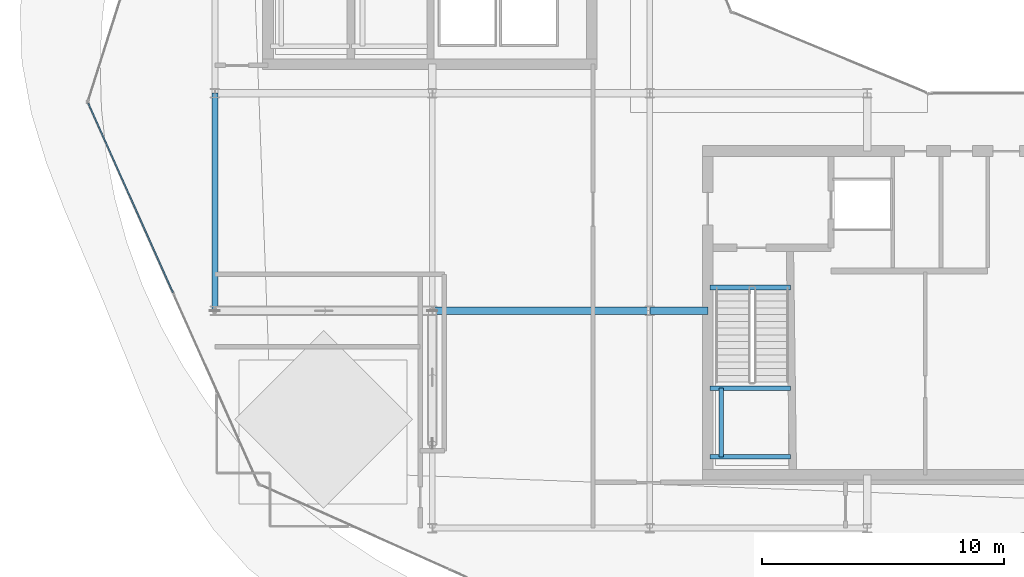
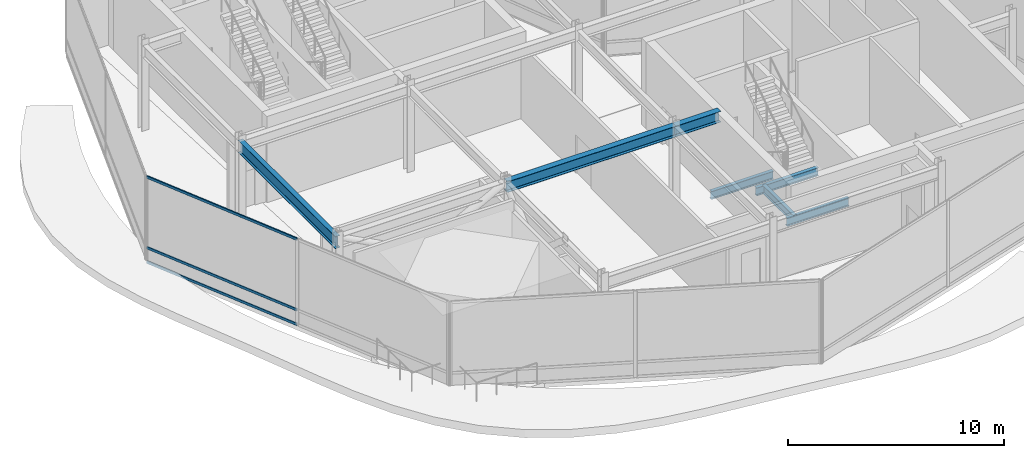
# One storey, part 5 of 21: 7 beams, 3 members, 1 element without a shape of its own.
"""IFC4 building model written with IfcOpenShell, lengths in metres."""

from ifc_helpers import new_model, si_unit, direction, frame, origin, origin_2d, place, context, subcontext, project, spatial, hollow_rectangle, i_section, extrude, material, layer, layer_set, material_profile, profile_set, type_object, element, aggregate, save


model = new_model("IFC4")

# Units and contexts
model_context = context("Model", 3, precision=1e-05, world=origin(), true_north=direction((0.0, 1.0)))
body_context = subcontext(model_context, "Body", "Model", "MODEL_VIEW")
ifc_project = project(units=[si_unit("LENGTHUNIT", "METRE"), si_unit("AREAUNIT", "SQUARE_METRE"), si_unit("VOLUMEUNIT", "CUBIC_METRE"), si_unit("PLANEANGLEUNIT", "RADIAN"), si_unit("MASSUNIT", "GRAM", prefix="KILO")], contexts=[model_context])

# Site, building, storey
site_placement = place(None, origin())
site = spatial("IfcSite", under=ifc_project, at=site_placement, CompositionType="ELEMENT")
building_placement = place(site_placement, origin())
building = spatial("IfcBuilding", under=site, at=building_placement, Name="Solvaryn Broadcast Tower", CompositionType="ELEMENT")
storey_placement = place(building_placement, frame((0.0, 0.0, 297.39990234375)))
storey = spatial("IfcBuildingStorey", under=building, at=storey_placement, Name="L75", CompositionType="ELEMENT", Elevation=297.39990234375)

# Beams
ifc_material_1 = material(Name="Steel ASTM A992 Grade 50", Category="steel")
ifc_material_profile_1 = material_profile(ifc_material_1, i_section(OverallWidth=0.323974609375, OverallDepth=0.611083984375, WebThickness=0.0126953125, FlangeThickness=0.01904296875, FilletRadius=0.014892578125, at=origin_2d()))
ifc_profile_set_1 = profile_set([ifc_material_profile_1], Name="Steel ASTM A992 Grade 50")
beam_type_1 = type_object("IfcBeamType", Name="BM-B1-W24X104", PredefinedType="BEAM", material=ifc_profile_set_1)
beam_1_placement = place(storey_placement, frame((18.0, 18.0, 4.564697265625), z_axis=(1.0, 0.0, 0.0), x_axis=(0.0, 1.0, 0.0)))
element("IfcBeam", 1, at=beam_1_placement, inside=storey, type_object=beam_type_1, Name="L75 Primary Beam X (18-27 @ Y=18)", PredefinedType="BEAM", context=body_context, shape_type="SweptSolid", body=[
    extrude(i_section(OverallWidth=0.323974609375, OverallDepth=0.611083984375, WebThickness=0.0126953125, FlangeThickness=0.01904296875, FilletRadius=0.014892578125, at=origin_2d()), origin(), (0.0, 0.0, 1.0), 9.0),
])
beam_2_placement = place(storey_placement, frame((27.0, 18.0, 4.564697265625), z_axis=(1.0, 0.0, 0.0), x_axis=(0.0, 1.0, 0.0)))
element("IfcBeam", 2, at=beam_2_placement, inside=storey, type_object=beam_type_1, Name="L75 Core Tie Beam CTE4", PredefinedType="BEAM", context=body_context, shape_type="SweptSolid", body=[
    extrude(i_section(OverallWidth=0.323974609375, OverallDepth=0.611083984375, WebThickness=0.0126953125, FlangeThickness=0.01904296875, FilletRadius=0.014892578125, at=origin_2d()), origin(), (0.0, 0.0, 1.0), 2.39990234375),
])
ifc_material_2 = material(Name="Steel ASTM A992 Grade 50", Category="steel")
ifc_material_profile_2 = material_profile(ifc_material_2, i_section(OverallWidth=0.18994140625, OverallDepth=0.45703125, WebThickness=0.009033203125, FlangeThickness=0.014404296875, FilletRadius=0.011962890625, at=origin_2d()))
ifc_profile_set_2 = profile_set([ifc_material_profile_2], Name="Steel ASTM A992 Grade 50")
beam_type_2 = type_object("IfcBeamType", Name="BM-B4-W18X50", PredefinedType="BEAM", material=ifc_profile_set_2)
for number, where, z_axis, x_axis, name in (
    (3, (29.5, 18.9599609375, -0.558349609375), (1.0, 0.0, 0.0), (0.0, 1.0, 0.0), "L75 ST3 Stair Well Trimmer Beam"),
    (4, (29.5, 11.949951171875, 2.171630859375), (1.0, 0.0, 0.0), (0.0, 1.0, 0.0), "L75 ST3 Landing Support Beam 1A"),
    (5, (29.5, 14.7900390625, 2.171630859375), (1.0, 0.0, 0.0), (0.0, 1.0, 0.0), "L75 ST3 Landing Support Beam 1B"),
):
    element("IfcBeam", number, at=place(storey_placement, frame(where, z_axis=z_axis, x_axis=x_axis)), inside=storey, type_object=beam_type_2, Name=name, PredefinedType="BEAM", context=body_context, shape_type="SweptSolid", body=[
        extrude(i_section(OverallWidth=0.18994140625, OverallDepth=0.45703125, WebThickness=0.009033203125, FlangeThickness=0.014404296875, FilletRadius=0.011962890625, at=origin_2d()), origin(), (0.0, 0.0, 1.0), 3.320068359375),
    ])
beam_3_placement = place(storey_placement, frame((29.949951171875, 11.949951171875, 2.171630859375), z_axis=(0.0, 1.0, 0.0), x_axis=(-1.0, 0.0, 0.0)))
element("IfcBeam", 6, at=beam_3_placement, inside=storey, type_object=beam_type_2, Name="L75 ST3 Landing Cross Stringer 1C", PredefinedType="BEAM", context=body_context, shape_type="SweptSolid", body=[
    extrude(i_section(OverallWidth=0.18994140625, OverallDepth=0.45703125, WebThickness=0.009033203125, FlangeThickness=0.014404296875, FilletRadius=0.011962890625, at=origin_2d()), origin(), (0.0, 0.0, 1.0), 2.840087890625),
])
ifc_material_3 = material(Name="Steel ASTM A992 Grade 50", Category="steel")
ifc_material_profile_3 = material_profile(ifc_material_3, i_section(OverallWidth=0.256103515625, OverallDepth=0.693115234375, WebThickness=0.014404296875, FlangeThickness=0.023681640625, FilletRadius=0.01611328125, at=origin_2d()))
ifc_profile_set_3 = profile_set([ifc_material_profile_3], Name="Steel ASTM A992 Grade 50")
beam_type_3 = type_object("IfcBeamType", Name="BM-SP3-W27X114", PredefinedType="USERDEFINED", material=ifc_profile_set_3)
beam_4_placement = place(storey_placement, frame((9.0, 18.0, 4.523681640625), z_axis=(0.0, 1.0, 0.0), x_axis=(-1.0, 0.0, 0.0)))
element("IfcBeam", 7, at=beam_4_placement, inside=storey, type_object=beam_type_3, Name="L75 Spandrel Beam Y (18-27 @ X=9)", ObjectType="SPANDREL", PredefinedType="USERDEFINED", context=body_context, shape_type="SweptSolid", body=[
    extrude(i_section(OverallWidth=0.256103515625, OverallDepth=0.693115234375, WebThickness=0.014404296875, FlangeThickness=0.023681640625, FilletRadius=0.01611328125, at=origin_2d()), origin(), (0.0, 0.0, 1.0), 9.0),
])

# Curtain wall, members
ifc_material_4 = material(Name="Aluminium and Terracotta Unitised Curtain Wall", Category="masonry")
ifc_layer = layer(ifc_material_4, 0.260009765625)
ifc_layer_set = layer_set([ifc_layer], Name="CW-SYS5-DAMPER")
curtain_wall_type = type_object("IfcCurtainWallType", Name="CW-SYS5-DAMPER", PredefinedType="NOTDEFINED", material=ifc_layer_set)
curtain_wall_placement = place(storey_placement, origin())
curtain_wall = element("IfcCurtainWall", 8, at=curtain_wall_placement, inside=storey, type_object=curtain_wall_type, Name="L75 Curtain Wall DR2", PredefinedType="NOTDEFINED")
ifc_material_5 = material(Name="Anodised Aluminium 6063-T6", Category="aluminium")
ifc_material_profile_4 = material_profile(ifc_material_5, hollow_rectangle(XDim=0.06494140625, YDim=0.14990234375, WallThickness=0.00390625, InnerFilletRadius=0.00390625, OuterFilletRadius=0.008056640625, at=origin_2d()))
ifc_profile_set_4 = profile_set([ifc_material_profile_4], Name="Anodised Aluminium 6063-T6")
member_type = type_object("IfcMemberType", Name="CW-TRN-150", PredefinedType="USERDEFINED", material=ifc_profile_set_4)
member_1_placement = place(storey_placement, frame((3.762451171875, 26.581298828125, 0.030029296875), z_axis=(0.408459074172, -0.91277663463, 0.0), x_axis=(0.91277663463, 0.408459074172, 0.0)))
member_1 = element("IfcMember", 9, at=member_1_placement, type_object=member_type, Name="CWS5 transom 1.1", ObjectType="TRANSOM", PredefinedType="USERDEFINED", context=body_context, shape_type="SweptSolid", body=[
    extrude(hollow_rectangle(XDim=0.06494140625, YDim=0.14990234375, WallThickness=0.00390625, InnerFilletRadius=0.00390625, OuterFilletRadius=0.008056640625, at=origin_2d()), origin(), (0.0, 0.0, 1.0), 8.575439453125),
])
member_2_placement = place(storey_placement, frame((3.762451171875, 26.581298828125, 0.85009765625), z_axis=(0.408459074172, -0.91277663463, 0.0), x_axis=(0.91277663463, 0.408459074172, 0.0)))
member_2 = element("IfcMember", 10, at=member_2_placement, type_object=member_type, Name="CWS5 transom 1.2", ObjectType="TRANSOM", PredefinedType="USERDEFINED", context=body_context, shape_type="SweptSolid", body=[
    extrude(hollow_rectangle(XDim=0.06494140625, YDim=0.14990234375, WallThickness=0.00390625, InnerFilletRadius=0.00390625, OuterFilletRadius=0.008056640625, at=origin_2d()), origin(), (0.0, 0.0, 1.0), 8.575439453125),
])
member_3_placement = place(storey_placement, frame((3.762451171875, 26.581298828125, 4.840087890625), z_axis=(0.408459074172, -0.91277663463, 0.0), x_axis=(0.91277663463, 0.408459074172, 0.0)))
member_3 = element("IfcMember", 11, at=member_3_placement, type_object=member_type, Name="CWS5 transom 1.3", ObjectType="TRANSOM", PredefinedType="USERDEFINED", context=body_context, shape_type="SweptSolid", body=[
    extrude(hollow_rectangle(XDim=0.06494140625, YDim=0.14990234375, WallThickness=0.00390625, InnerFilletRadius=0.00390625, OuterFilletRadius=0.008056640625, at=origin_2d()), origin(), (0.0, 0.0, 1.0), 8.575439453125),
])
aggregate(curtain_wall, [member_1, member_2, member_3])

save(model, "model.ifc")
